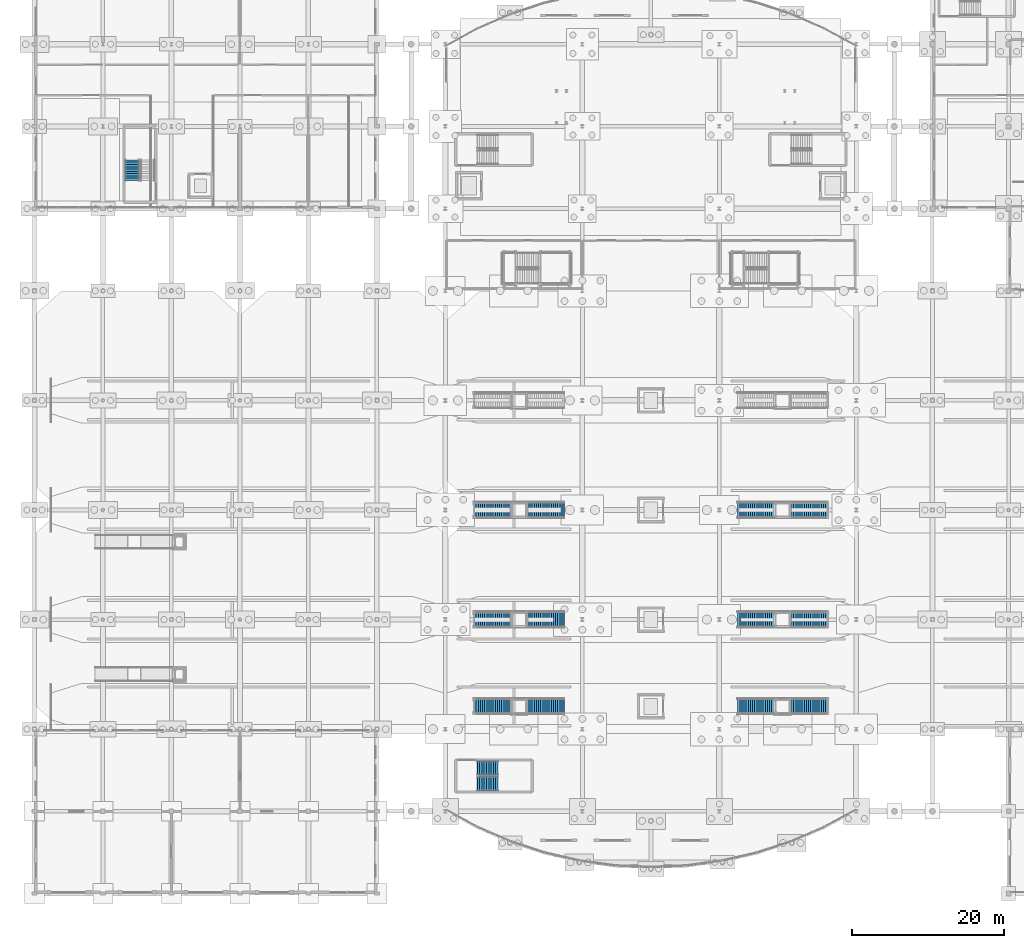
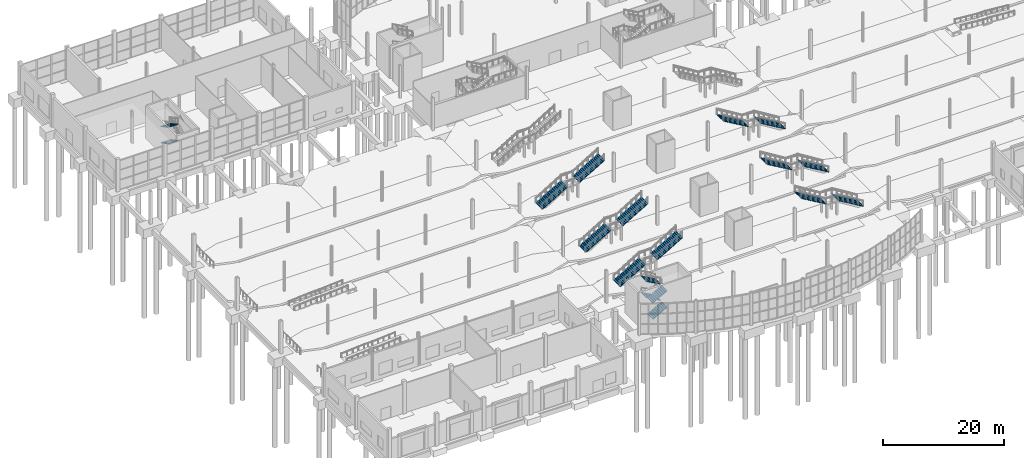
# One storey, part 96 of 115: 18 stair flights, 8 elements without a shape of their own.
"""IFC4 building model written with IfcOpenShell, lengths in metres."""

from ifc_helpers import new_model, si_unit, direction, frame, origin, place, context, subcontext, project, spatial, polyline, outline, extrude, material, type_object, element, aggregate, save


model = new_model("IFC4")

# Units and contexts
model_context = context("Model", 3, precision=1e-05, world=origin(), true_north=direction((0.0, 1.0)))
body_context = subcontext(model_context, "Body", "Model", "MODEL_VIEW")
ifc_project = project(units=[si_unit("LENGTHUNIT", "METRE"), si_unit("AREAUNIT", "SQUARE_METRE"), si_unit("VOLUMEUNIT", "CUBIC_METRE"), si_unit("PLANEANGLEUNIT", "RADIAN"), si_unit("MASSUNIT", "GRAM", prefix="KILO")], contexts=[model_context])

# Site, building, storey
site_placement = place(None, origin())
site = spatial("IfcSite", under=ifc_project, at=site_placement, CompositionType="ELEMENT")
building_placement = place(site_placement, origin())
building = spatial("IfcBuilding", under=site, at=building_placement, Name="Tamarisk Ironworks Central Station", CompositionType="ELEMENT")
storey_placement = place(building_placement, origin())
storey = spatial("IfcBuildingStorey", under=building, at=storey_placement, Name="L00", CompositionType="ELEMENT", Elevation=0.0)

# Stair, stair flights
ifc_material = material(Name="Concrete C35/45", Category="concrete")
stair_type_1 = type_object("IfcStairType", Name="ST-CORE-C", PredefinedType="HALF_TURN_STAIR", material=ifc_material)
stair_1_placement = place(storey_placement, origin())
stair_1 = element("IfcStair", 1, at=stair_1_placement, inside=storey, type_object=stair_type_1, Name="L00 Retail Pavilion Exit Stair Core 6", PredefinedType="HALF_TURN_STAIR")
stair_flight_type_1 = type_object("IfcStairFlightType", Name="SF-CORE-C", PredefinedType="STRAIGHT", material=ifc_material)
stair_flight_1_placement = place(storey_placement, frame((12.824951171875, 96.39990234375, 1.64990234375), z_axis=(0.0, 0.0, 1.0), x_axis=(0.0, -1.0, 0.0)))
stair_flight_1 = element("IfcStairFlight", 2, at=stair_flight_1_placement, type_object=stair_flight_type_1, Name="ST-C6 flight 2", NumberOfRisers=10, NumberOfTreads=9, PredefinedType="STRAIGHT", RiserHeight=0.165, TreadLength=0.3, context=body_context, shape_type="SweptSolid", body=[
    extrude(outline(polyline([(-0.01806640625, 0.0), (-0.01806640625, 0.107177734375), (0.0, 0.107177734375), (0.0, 0.1650390625), (0.300048828125, 0.1650390625), (0.300048828125, 0.330078125), (0.60009765625, 0.330078125), (0.60009765625, 0.4951171875), (0.89990234375, 0.4951171875), (0.89990234375, 0.659912109375), (1.199951171875, 0.659912109375), (1.199951171875, 0.824951171875), (1.5, 0.824951171875), (1.5, 0.989990234375), (1.800048828125, 0.989990234375), (1.800048828125, 1.155029296875), (2.10009765625, 1.155029296875), (2.10009765625, 1.320068359375), (2.39990234375, 1.320068359375), (2.39990234375, 1.485107421875), (2.699951171875, 1.485107421875), (2.699951171875, 1.64990234375), (2.718017578125, 1.64990234375), (2.718017578125, 1.4599609375), (0.080078125, 0.0), (-0.01806640625, 0.0)])), frame((0.0, 0.925048828125, 0.0), z_axis=(0.0, -1.0, 0.0), x_axis=(1.0, 0.0, 0.0)), (0.0, 0.0, 1.0), 1.85009765625),
])
stair_flight_2_placement = place(storey_placement, frame((12.824951171875, 96.39990234375, 4.949951171875), z_axis=(0.0, 0.0, 1.0), x_axis=(0.0, -1.0, 0.0)))
stair_flight_2 = element("IfcStairFlight", 3, at=stair_flight_2_placement, type_object=stair_flight_type_1, Name="ST-C6 flight 4", NumberOfRisers=10, NumberOfTreads=9, PredefinedType="STRAIGHT", RiserHeight=0.165, TreadLength=0.3, context=body_context, shape_type="SweptSolid", body=[
    extrude(outline(polyline([(-0.01806640625, 0.0), (-0.01806640625, 0.107177734375), (0.0, 0.107177734375), (0.0, 0.1650390625), (0.300048828125, 0.1650390625), (0.300048828125, 0.330078125), (0.60009765625, 0.330078125), (0.60009765625, 0.4951171875), (0.89990234375, 0.4951171875), (0.89990234375, 0.659912109375), (1.199951171875, 0.659912109375), (1.199951171875, 0.824951171875), (1.5, 0.824951171875), (1.5, 0.989990234375), (1.800048828125, 0.989990234375), (1.800048828125, 1.155029296875), (2.10009765625, 1.155029296875), (2.10009765625, 1.320068359375), (2.39990234375, 1.320068359375), (2.39990234375, 1.485107421875), (2.699951171875, 1.485107421875), (2.699951171875, 1.64990234375), (2.718017578125, 1.64990234375), (2.718017578125, 1.4599609375), (0.080078125, 0.0), (-0.01806640625, 0.0)])), frame((0.0, 0.925048828125, 0.0), z_axis=(0.0, -1.0, 0.0), x_axis=(1.0, 0.0, 0.0)), (0.0, 0.0, 1.0), 1.85009765625),
])
aggregate(stair_1, [stair_flight_1, stair_flight_2])

stair_type_2 = type_object("IfcStairType", Name="ST-CORE-D", PredefinedType="HALF_TURN_STAIR", material=ifc_material)
stair_2_placement = place(storey_placement, origin())
stair_2 = element("IfcStair", 4, at=stair_2_placement, inside=storey, type_object=stair_type_2, Name="L00 South Concourse Exit Stair Core 8", PredefinedType="HALF_TURN_STAIR")
stair_flight_type_2 = type_object("IfcStairFlightType", Name="SF-CORE-D", PredefinedType="STRAIGHT", material=ifc_material)
stair_flight_3_placement = place(storey_placement, frame((58.199951171875, 14.425048828125, 0.0), z_axis=(0.0, 0.0, 1.0), x_axis=(1.0, 0.0, 0.0)))
stair_flight_3 = element("IfcStairFlight", 5, at=stair_flight_3_placement, type_object=stair_flight_type_2, Name="ST-C8 flight 1", NumberOfRisers=10, NumberOfTreads=9, PredefinedType="STRAIGHT", RiserHeight=0.165, TreadLength=0.3, context=body_context, shape_type="SweptSolid", body=[
    extrude(outline(polyline([(-0.01806640625, 0.0), (-0.01806640625, 0.107177734375), (0.0, 0.107177734375), (0.0, 0.1650390625), (0.300048828125, 0.1650390625), (0.300048828125, 0.330078125), (0.60009765625, 0.330078125), (0.60009765625, 0.4951171875), (0.89990234375, 0.4951171875), (0.89990234375, 0.659912109375), (1.199951171875, 0.659912109375), (1.199951171875, 0.824951171875), (1.5, 0.824951171875), (1.5, 0.989990234375), (1.800048828125, 0.989990234375), (1.800048828125, 1.155029296875), (2.10009765625, 1.155029296875), (2.10009765625, 1.320068359375), (2.39990234375, 1.320068359375), (2.39990234375, 1.485107421875), (2.699951171875, 1.485107421875), (2.699951171875, 1.64990234375), (2.718017578125, 1.64990234375), (2.718017578125, 1.4599609375), (0.080078125, 0.0), (-0.01806640625, 0.0)])), frame((0.0, 0.925048828125, 0.0), z_axis=(0.0, -1.0, 0.0), x_axis=(1.0, 0.0, 0.0)), (0.0, 0.0, 1.0), 1.85009765625),
])
stair_flight_4_placement = place(storey_placement, frame((60.89990234375, 16.47509765625, 1.64990234375), z_axis=(0.0, 0.0, 1.0), x_axis=(-1.0, 0.0, 0.0)))
stair_flight_4 = element("IfcStairFlight", 6, at=stair_flight_4_placement, type_object=stair_flight_type_2, Name="ST-C8 flight 2", NumberOfRisers=10, NumberOfTreads=9, PredefinedType="STRAIGHT", RiserHeight=0.165, TreadLength=0.3, context=body_context, shape_type="SweptSolid", body=[
    extrude(outline(polyline([(-0.01806640625, 0.0), (-0.01806640625, 0.107177734375), (0.0, 0.107177734375), (0.0, 0.1650390625), (0.300048828125, 0.1650390625), (0.300048828125, 0.330078125), (0.60009765625, 0.330078125), (0.60009765625, 0.4951171875), (0.89990234375, 0.4951171875), (0.89990234375, 0.659912109375), (1.199951171875, 0.659912109375), (1.199951171875, 0.824951171875), (1.5, 0.824951171875), (1.5, 0.989990234375), (1.800048828125, 0.989990234375), (1.800048828125, 1.155029296875), (2.10009765625, 1.155029296875), (2.10009765625, 1.320068359375), (2.39990234375, 1.320068359375), (2.39990234375, 1.485107421875), (2.699951171875, 1.485107421875), (2.699951171875, 1.64990234375), (2.718017578125, 1.64990234375), (2.718017578125, 1.4599609375), (0.080078125, 0.0), (-0.01806640625, 0.0)])), frame((0.0, 0.925048828125, 0.0), z_axis=(0.0, -1.0, 0.0), x_axis=(1.0, 0.0, 0.0)), (0.0, 0.0, 1.0), 1.85009765625),
])
stair_flight_5_placement = place(storey_placement, frame((58.199951171875, 14.425048828125, 3.300048828125), z_axis=(0.0, 0.0, 1.0), x_axis=(1.0, 0.0, 0.0)))
stair_flight_5 = element("IfcStairFlight", 7, at=stair_flight_5_placement, type_object=stair_flight_type_2, Name="ST-C8 flight 3", NumberOfRisers=10, NumberOfTreads=9, PredefinedType="STRAIGHT", RiserHeight=0.165, TreadLength=0.3, context=body_context, shape_type="SweptSolid", body=[
    extrude(outline(polyline([(-0.01806640625, 0.0), (-0.01806640625, 0.107177734375), (0.0, 0.107177734375), (0.0, 0.1650390625), (0.300048828125, 0.1650390625), (0.300048828125, 0.330078125), (0.60009765625, 0.330078125), (0.60009765625, 0.4951171875), (0.89990234375, 0.4951171875), (0.89990234375, 0.659912109375), (1.199951171875, 0.659912109375), (1.199951171875, 0.824951171875), (1.5, 0.824951171875), (1.5, 0.989990234375), (1.800048828125, 0.989990234375), (1.800048828125, 1.155029296875), (2.10009765625, 1.155029296875), (2.10009765625, 1.320068359375), (2.39990234375, 1.320068359375), (2.39990234375, 1.485107421875), (2.699951171875, 1.485107421875), (2.699951171875, 1.64990234375), (2.718017578125, 1.64990234375), (2.718017578125, 1.4599609375), (0.080078125, 0.0), (-0.01806640625, 0.0)])), frame((0.0, 0.925048828125, 0.0), z_axis=(0.0, -1.0, 0.0), x_axis=(1.0, 0.0, 0.0)), (0.0, 0.0, 1.0), 1.85009765625),
])
stair_flight_6_placement = place(storey_placement, frame((60.89990234375, 16.47509765625, 4.949951171875), z_axis=(0.0, 0.0, 1.0), x_axis=(-1.0, 0.0, 0.0)))
stair_flight_6 = element("IfcStairFlight", 8, at=stair_flight_6_placement, type_object=stair_flight_type_2, Name="ST-C8 flight 4", NumberOfRisers=10, NumberOfTreads=9, PredefinedType="STRAIGHT", RiserHeight=0.165, TreadLength=0.3, context=body_context, shape_type="SweptSolid", body=[
    extrude(outline(polyline([(-0.01806640625, 0.0), (-0.01806640625, 0.107177734375), (0.0, 0.107177734375), (0.0, 0.1650390625), (0.300048828125, 0.1650390625), (0.300048828125, 0.330078125), (0.60009765625, 0.330078125), (0.60009765625, 0.4951171875), (0.89990234375, 0.4951171875), (0.89990234375, 0.659912109375), (1.199951171875, 0.659912109375), (1.199951171875, 0.824951171875), (1.5, 0.824951171875), (1.5, 0.989990234375), (1.800048828125, 0.989990234375), (1.800048828125, 1.155029296875), (2.10009765625, 1.155029296875), (2.10009765625, 1.320068359375), (2.39990234375, 1.320068359375), (2.39990234375, 1.485107421875), (2.699951171875, 1.485107421875), (2.699951171875, 1.64990234375), (2.718017578125, 1.64990234375), (2.718017578125, 1.4599609375), (0.080078125, 0.0), (-0.01806640625, 0.0)])), frame((0.0, 0.925048828125, 0.0), z_axis=(0.0, -1.0, 0.0), x_axis=(1.0, 0.0, 0.0)), (0.0, 0.0, 1.0), 1.85009765625),
])
aggregate(stair_2, [stair_flight_3, stair_flight_4, stair_flight_5, stair_flight_6])

stair_type_3 = type_object("IfcStairType", Name="ST-PLAT", PredefinedType="TWO_STRAIGHT_RUN_STAIR", material=ifc_material)
stair_3_placement = place(storey_placement, origin())
stair_3 = element("IfcStair", 9, at=stair_3_placement, inside=storey, type_object=stair_type_3, Name="Platform 1 Boarding Stair ST-P1A", PredefinedType="TWO_STRAIGHT_RUN_STAIR")
stair_flight_type_3 = type_object("IfcStairFlightType", Name="SF-PLAT", PredefinedType="STRAIGHT", material=ifc_material)
stair_flight_7_placement = place(storey_placement, frame((57.760009765625, 24.60009765625, 0.719970703125), z_axis=(0.0, 0.0, 1.0), x_axis=(1.0, 0.0, 0.0)))
stair_flight_7 = element("IfcStairFlight", 10, at=stair_flight_7_placement, type_object=stair_flight_type_3, Name="STP1 flight 1", NumberOfRisers=18, NumberOfTreads=17, PredefinedType="STRAIGHT", RiserHeight=0.163333, TreadLength=0.28, context=body_context, shape_type="SweptSolid", body=[
    extrude(outline(polyline([(-0.01806640625, 0.0), (-0.01806640625, 0.106201171875), (0.0, 0.106201171875), (0.0, 0.163330078125), (0.280029296875, 0.163330078125), (0.280029296875, 0.32666015625), (0.56005859375, 0.32666015625), (0.56005859375, 0.489990234375), (0.840087890625, 0.489990234375), (0.840087890625, 0.6533203125), (1.1201171875, 0.6533203125), (1.1201171875, 0.816650390625), (1.39990234375, 0.816650390625), (1.39990234375, 0.97998046875), (1.679931640625, 0.97998046875), (1.679931640625, 1.143310546875), (1.9599609375, 1.143310546875), (1.9599609375, 1.306640625), (2.239990234375, 1.306640625), (2.239990234375, 1.469970703125), (2.52001953125, 1.469970703125), (2.52001953125, 1.63330078125), (2.800048828125, 1.63330078125), (2.800048828125, 1.796630859375), (3.080078125, 1.796630859375), (3.080078125, 1.9599609375), (3.360107421875, 1.9599609375), (3.360107421875, 2.123291015625), (3.639892578125, 2.123291015625), (3.639892578125, 2.28662109375), (3.919921875, 2.28662109375), (3.919921875, 2.449951171875), (4.199951171875, 2.449951171875), (4.199951171875, 2.61328125), (4.47998046875, 2.61328125), (4.47998046875, 2.776611328125), (4.760009765625, 2.776611328125), (4.760009765625, 2.93994140625), (4.778076171875, 2.93994140625), (4.778076171875, 2.75), (0.080078125, 0.0), (-0.01806640625, 0.0)])), frame((0.0, 1.10009765625, 0.0), z_axis=(0.0, -1.0, 0.0), x_axis=(1.0, 0.0, 0.0)), (0.0, 0.0, 1.0), 2.199951171875),
])
stair_flight_8_placement = place(storey_placement, frame((64.840087890625, 24.60009765625, 3.659912109375), z_axis=(0.0, 0.0, 1.0), x_axis=(1.0, 0.0, 0.0)))
stair_flight_8 = element("IfcStairFlight", 11, at=stair_flight_8_placement, type_object=stair_flight_type_3, Name="STP1 flight 2", NumberOfRisers=18, NumberOfTreads=17, PredefinedType="STRAIGHT", RiserHeight=0.163333, TreadLength=0.28, context=body_context, shape_type="SweptSolid", body=[
    extrude(outline(polyline([(-0.01806640625, 0.0), (-0.01806640625, 0.106201171875), (0.0, 0.106201171875), (0.0, 0.163330078125), (0.280029296875, 0.163330078125), (0.280029296875, 0.32666015625), (0.56005859375, 0.32666015625), (0.56005859375, 0.489990234375), (0.840087890625, 0.489990234375), (0.840087890625, 0.6533203125), (1.1201171875, 0.6533203125), (1.1201171875, 0.816650390625), (1.39990234375, 0.816650390625), (1.39990234375, 0.97998046875), (1.679931640625, 0.97998046875), (1.679931640625, 1.143310546875), (1.9599609375, 1.143310546875), (1.9599609375, 1.306640625), (2.239990234375, 1.306640625), (2.239990234375, 1.469970703125), (2.52001953125, 1.469970703125), (2.52001953125, 1.63330078125), (2.800048828125, 1.63330078125), (2.800048828125, 1.796630859375), (3.080078125, 1.796630859375), (3.080078125, 1.9599609375), (3.360107421875, 1.9599609375), (3.360107421875, 2.123291015625), (3.639892578125, 2.123291015625), (3.639892578125, 2.28662109375), (3.919921875, 2.28662109375), (3.919921875, 2.449951171875), (4.199951171875, 2.449951171875), (4.199951171875, 2.61328125), (4.47998046875, 2.61328125), (4.47998046875, 2.776611328125), (4.760009765625, 2.776611328125), (4.760009765625, 2.93994140625), (4.778076171875, 2.93994140625), (4.778076171875, 2.75), (0.080078125, 0.0), (-0.01806640625, 0.0)])), frame((0.0, 1.10009765625, 0.0), z_axis=(0.0, -1.0, 0.0), x_axis=(1.0, 0.0, 0.0)), (0.0, 0.0, 1.0), 2.199951171875),
])
aggregate(stair_3, [stair_flight_7, stair_flight_8])

stair_4_placement = place(storey_placement, origin())
stair_4 = element("IfcStair", 12, at=stair_4_placement, inside=storey, type_object=stair_type_3, Name="Platform 1 Boarding Stair ST-P1B", PredefinedType="TWO_STRAIGHT_RUN_STAIR")
stair_flight_9_placement = place(storey_placement, frame((104.239990234375, 24.60009765625, 0.719970703125), z_axis=(0.0, 0.0, 1.0), x_axis=(-1.0, 0.0, 0.0)))
stair_flight_9 = element("IfcStairFlight", 13, at=stair_flight_9_placement, type_object=stair_flight_type_3, Name="STP1 flight 1", NumberOfRisers=18, NumberOfTreads=17, PredefinedType="STRAIGHT", RiserHeight=0.163333, TreadLength=0.28, context=body_context, shape_type="SweptSolid", body=[
    extrude(outline(polyline([(-0.01806640625, 0.0), (-0.01806640625, 0.106201171875), (0.0, 0.106201171875), (0.0, 0.163330078125), (0.280029296875, 0.163330078125), (0.280029296875, 0.32666015625), (0.56005859375, 0.32666015625), (0.56005859375, 0.489990234375), (0.840087890625, 0.489990234375), (0.840087890625, 0.6533203125), (1.1201171875, 0.6533203125), (1.1201171875, 0.816650390625), (1.39990234375, 0.816650390625), (1.39990234375, 0.97998046875), (1.679931640625, 0.97998046875), (1.679931640625, 1.143310546875), (1.9599609375, 1.143310546875), (1.9599609375, 1.306640625), (2.239990234375, 1.306640625), (2.239990234375, 1.469970703125), (2.52001953125, 1.469970703125), (2.52001953125, 1.63330078125), (2.800048828125, 1.63330078125), (2.800048828125, 1.796630859375), (3.080078125, 1.796630859375), (3.080078125, 1.9599609375), (3.360107421875, 1.9599609375), (3.360107421875, 2.123291015625), (3.639892578125, 2.123291015625), (3.639892578125, 2.28662109375), (3.919921875, 2.28662109375), (3.919921875, 2.449951171875), (4.199951171875, 2.449951171875), (4.199951171875, 2.61328125), (4.47998046875, 2.61328125), (4.47998046875, 2.776611328125), (4.760009765625, 2.776611328125), (4.760009765625, 2.93994140625), (4.778076171875, 2.93994140625), (4.778076171875, 2.75), (0.080078125, 0.0), (-0.01806640625, 0.0)])), frame((0.0, 1.10009765625, 0.0), z_axis=(0.0, -1.0, 0.0), x_axis=(1.0, 0.0, 0.0)), (0.0, 0.0, 1.0), 2.199951171875),
])
stair_flight_10_placement = place(storey_placement, frame((97.159912109375, 24.60009765625, 3.659912109375), z_axis=(0.0, 0.0, 1.0), x_axis=(-1.0, 0.0, 0.0)))
stair_flight_10 = element("IfcStairFlight", 14, at=stair_flight_10_placement, type_object=stair_flight_type_3, Name="STP1 flight 2", NumberOfRisers=18, NumberOfTreads=17, PredefinedType="STRAIGHT", RiserHeight=0.163333, TreadLength=0.28, context=body_context, shape_type="SweptSolid", body=[
    extrude(outline(polyline([(-0.01806640625, 0.0), (-0.01806640625, 0.106201171875), (0.0, 0.106201171875), (0.0, 0.163330078125), (0.280029296875, 0.163330078125), (0.280029296875, 0.32666015625), (0.56005859375, 0.32666015625), (0.56005859375, 0.489990234375), (0.840087890625, 0.489990234375), (0.840087890625, 0.6533203125), (1.1201171875, 0.6533203125), (1.1201171875, 0.816650390625), (1.39990234375, 0.816650390625), (1.39990234375, 0.97998046875), (1.679931640625, 0.97998046875), (1.679931640625, 1.143310546875), (1.9599609375, 1.143310546875), (1.9599609375, 1.306640625), (2.239990234375, 1.306640625), (2.239990234375, 1.469970703125), (2.52001953125, 1.469970703125), (2.52001953125, 1.63330078125), (2.800048828125, 1.63330078125), (2.800048828125, 1.796630859375), (3.080078125, 1.796630859375), (3.080078125, 1.9599609375), (3.360107421875, 1.9599609375), (3.360107421875, 2.123291015625), (3.639892578125, 2.123291015625), (3.639892578125, 2.28662109375), (3.919921875, 2.28662109375), (3.919921875, 2.449951171875), (4.199951171875, 2.449951171875), (4.199951171875, 2.61328125), (4.47998046875, 2.61328125), (4.47998046875, 2.776611328125), (4.760009765625, 2.776611328125), (4.760009765625, 2.93994140625), (4.778076171875, 2.93994140625), (4.778076171875, 2.75), (0.080078125, 0.0), (-0.01806640625, 0.0)])), frame((0.0, 1.10009765625, 0.0), z_axis=(0.0, -1.0, 0.0), x_axis=(1.0, 0.0, 0.0)), (0.0, 0.0, 1.0), 2.199951171875),
])
aggregate(stair_4, [stair_flight_9, stair_flight_10])

stair_5_placement = place(storey_placement, origin())
stair_5 = element("IfcStair", 15, at=stair_5_placement, inside=storey, type_object=stair_type_3, Name="Platform 2 Boarding Stair ST-P2A", PredefinedType="TWO_STRAIGHT_RUN_STAIR")
stair_flight_11_placement = place(storey_placement, frame((57.760009765625, 36.0, 0.719970703125), z_axis=(0.0, 0.0, 1.0), x_axis=(1.0, 0.0, 0.0)))
stair_flight_11 = element("IfcStairFlight", 16, at=stair_flight_11_placement, type_object=stair_flight_type_3, Name="STP1 flight 1", NumberOfRisers=18, NumberOfTreads=17, PredefinedType="STRAIGHT", RiserHeight=0.163333, TreadLength=0.28, context=body_context, shape_type="SweptSolid", body=[
    extrude(outline(polyline([(-0.01806640625, 0.0), (-0.01806640625, 0.106201171875), (0.0, 0.106201171875), (0.0, 0.163330078125), (0.280029296875, 0.163330078125), (0.280029296875, 0.32666015625), (0.56005859375, 0.32666015625), (0.56005859375, 0.489990234375), (0.840087890625, 0.489990234375), (0.840087890625, 0.6533203125), (1.1201171875, 0.6533203125), (1.1201171875, 0.816650390625), (1.39990234375, 0.816650390625), (1.39990234375, 0.97998046875), (1.679931640625, 0.97998046875), (1.679931640625, 1.143310546875), (1.9599609375, 1.143310546875), (1.9599609375, 1.306640625), (2.239990234375, 1.306640625), (2.239990234375, 1.469970703125), (2.52001953125, 1.469970703125), (2.52001953125, 1.63330078125), (2.800048828125, 1.63330078125), (2.800048828125, 1.796630859375), (3.080078125, 1.796630859375), (3.080078125, 1.9599609375), (3.360107421875, 1.9599609375), (3.360107421875, 2.123291015625), (3.639892578125, 2.123291015625), (3.639892578125, 2.28662109375), (3.919921875, 2.28662109375), (3.919921875, 2.449951171875), (4.199951171875, 2.449951171875), (4.199951171875, 2.61328125), (4.47998046875, 2.61328125), (4.47998046875, 2.776611328125), (4.760009765625, 2.776611328125), (4.760009765625, 2.93994140625), (4.778076171875, 2.93994140625), (4.778076171875, 2.75), (0.080078125, 0.0), (-0.01806640625, 0.0)])), frame((0.0, 1.10009765625, 0.0), z_axis=(0.0, -1.0, 0.0), x_axis=(1.0, 0.0, 0.0)), (0.0, 0.0, 1.0), 2.199951171875),
])
stair_flight_12_placement = place(storey_placement, frame((64.840087890625, 36.0, 3.659912109375), z_axis=(0.0, 0.0, 1.0), x_axis=(1.0, 0.0, 0.0)))
stair_flight_12 = element("IfcStairFlight", 17, at=stair_flight_12_placement, type_object=stair_flight_type_3, Name="STP1 flight 2", NumberOfRisers=18, NumberOfTreads=17, PredefinedType="STRAIGHT", RiserHeight=0.163333, TreadLength=0.28, context=body_context, shape_type="SweptSolid", body=[
    extrude(outline(polyline([(-0.01806640625, 0.0), (-0.01806640625, 0.106201171875), (0.0, 0.106201171875), (0.0, 0.163330078125), (0.280029296875, 0.163330078125), (0.280029296875, 0.32666015625), (0.56005859375, 0.32666015625), (0.56005859375, 0.489990234375), (0.840087890625, 0.489990234375), (0.840087890625, 0.6533203125), (1.1201171875, 0.6533203125), (1.1201171875, 0.816650390625), (1.39990234375, 0.816650390625), (1.39990234375, 0.97998046875), (1.679931640625, 0.97998046875), (1.679931640625, 1.143310546875), (1.9599609375, 1.143310546875), (1.9599609375, 1.306640625), (2.239990234375, 1.306640625), (2.239990234375, 1.469970703125), (2.52001953125, 1.469970703125), (2.52001953125, 1.63330078125), (2.800048828125, 1.63330078125), (2.800048828125, 1.796630859375), (3.080078125, 1.796630859375), (3.080078125, 1.9599609375), (3.360107421875, 1.9599609375), (3.360107421875, 2.123291015625), (3.639892578125, 2.123291015625), (3.639892578125, 2.28662109375), (3.919921875, 2.28662109375), (3.919921875, 2.449951171875), (4.199951171875, 2.449951171875), (4.199951171875, 2.61328125), (4.47998046875, 2.61328125), (4.47998046875, 2.776611328125), (4.760009765625, 2.776611328125), (4.760009765625, 2.93994140625), (4.778076171875, 2.93994140625), (4.778076171875, 2.75), (0.080078125, 0.0), (-0.01806640625, 0.0)])), frame((0.0, 1.10009765625, 0.0), z_axis=(0.0, -1.0, 0.0), x_axis=(1.0, 0.0, 0.0)), (0.0, 0.0, 1.0), 2.199951171875),
])
aggregate(stair_5, [stair_flight_11, stair_flight_12])

stair_6_placement = place(storey_placement, origin())
stair_6 = element("IfcStair", 18, at=stair_6_placement, inside=storey, type_object=stair_type_3, Name="Platform 2 Boarding Stair ST-P2B", PredefinedType="TWO_STRAIGHT_RUN_STAIR")
stair_flight_13_placement = place(storey_placement, frame((104.239990234375, 36.0, 0.719970703125), z_axis=(0.0, 0.0, 1.0), x_axis=(-1.0, 0.0, 0.0)))
stair_flight_13 = element("IfcStairFlight", 19, at=stair_flight_13_placement, type_object=stair_flight_type_3, Name="STP1 flight 1", NumberOfRisers=18, NumberOfTreads=17, PredefinedType="STRAIGHT", RiserHeight=0.163333, TreadLength=0.28, context=body_context, shape_type="SweptSolid", body=[
    extrude(outline(polyline([(-0.01806640625, 0.0), (-0.01806640625, 0.106201171875), (0.0, 0.106201171875), (0.0, 0.163330078125), (0.280029296875, 0.163330078125), (0.280029296875, 0.32666015625), (0.56005859375, 0.32666015625), (0.56005859375, 0.489990234375), (0.840087890625, 0.489990234375), (0.840087890625, 0.6533203125), (1.1201171875, 0.6533203125), (1.1201171875, 0.816650390625), (1.39990234375, 0.816650390625), (1.39990234375, 0.97998046875), (1.679931640625, 0.97998046875), (1.679931640625, 1.143310546875), (1.9599609375, 1.143310546875), (1.9599609375, 1.306640625), (2.239990234375, 1.306640625), (2.239990234375, 1.469970703125), (2.52001953125, 1.469970703125), (2.52001953125, 1.63330078125), (2.800048828125, 1.63330078125), (2.800048828125, 1.796630859375), (3.080078125, 1.796630859375), (3.080078125, 1.9599609375), (3.360107421875, 1.9599609375), (3.360107421875, 2.123291015625), (3.639892578125, 2.123291015625), (3.639892578125, 2.28662109375), (3.919921875, 2.28662109375), (3.919921875, 2.449951171875), (4.199951171875, 2.449951171875), (4.199951171875, 2.61328125), (4.47998046875, 2.61328125), (4.47998046875, 2.776611328125), (4.760009765625, 2.776611328125), (4.760009765625, 2.93994140625), (4.778076171875, 2.93994140625), (4.778076171875, 2.75), (0.080078125, 0.0), (-0.01806640625, 0.0)])), frame((0.0, 1.10009765625, 0.0), z_axis=(0.0, -1.0, 0.0), x_axis=(1.0, 0.0, 0.0)), (0.0, 0.0, 1.0), 2.199951171875),
])
stair_flight_14_placement = place(storey_placement, frame((97.159912109375, 36.0, 3.659912109375), z_axis=(0.0, 0.0, 1.0), x_axis=(-1.0, 0.0, 0.0)))
stair_flight_14 = element("IfcStairFlight", 20, at=stair_flight_14_placement, type_object=stair_flight_type_3, Name="STP1 flight 2", NumberOfRisers=18, NumberOfTreads=17, PredefinedType="STRAIGHT", RiserHeight=0.163333, TreadLength=0.28, context=body_context, shape_type="SweptSolid", body=[
    extrude(outline(polyline([(-0.01806640625, 0.0), (-0.01806640625, 0.106201171875), (0.0, 0.106201171875), (0.0, 0.163330078125), (0.280029296875, 0.163330078125), (0.280029296875, 0.32666015625), (0.56005859375, 0.32666015625), (0.56005859375, 0.489990234375), (0.840087890625, 0.489990234375), (0.840087890625, 0.6533203125), (1.1201171875, 0.6533203125), (1.1201171875, 0.816650390625), (1.39990234375, 0.816650390625), (1.39990234375, 0.97998046875), (1.679931640625, 0.97998046875), (1.679931640625, 1.143310546875), (1.9599609375, 1.143310546875), (1.9599609375, 1.306640625), (2.239990234375, 1.306640625), (2.239990234375, 1.469970703125), (2.52001953125, 1.469970703125), (2.52001953125, 1.63330078125), (2.800048828125, 1.63330078125), (2.800048828125, 1.796630859375), (3.080078125, 1.796630859375), (3.080078125, 1.9599609375), (3.360107421875, 1.9599609375), (3.360107421875, 2.123291015625), (3.639892578125, 2.123291015625), (3.639892578125, 2.28662109375), (3.919921875, 2.28662109375), (3.919921875, 2.449951171875), (4.199951171875, 2.449951171875), (4.199951171875, 2.61328125), (4.47998046875, 2.61328125), (4.47998046875, 2.776611328125), (4.760009765625, 2.776611328125), (4.760009765625, 2.93994140625), (4.778076171875, 2.93994140625), (4.778076171875, 2.75), (0.080078125, 0.0), (-0.01806640625, 0.0)])), frame((0.0, 1.10009765625, 0.0), z_axis=(0.0, -1.0, 0.0), x_axis=(1.0, 0.0, 0.0)), (0.0, 0.0, 1.0), 2.199951171875),
])
aggregate(stair_6, [stair_flight_13, stair_flight_14])

stair_7_placement = place(storey_placement, origin())
stair_7 = element("IfcStair", 21, at=stair_7_placement, inside=storey, type_object=stair_type_3, Name="Platform 3 Boarding Stair ST-P3A", PredefinedType="TWO_STRAIGHT_RUN_STAIR")
stair_flight_15_placement = place(storey_placement, frame((57.760009765625, 50.39990234375, 0.719970703125), z_axis=(0.0, 0.0, 1.0), x_axis=(1.0, 0.0, 0.0)))
stair_flight_15 = element("IfcStairFlight", 22, at=stair_flight_15_placement, type_object=stair_flight_type_3, Name="STP1 flight 1", NumberOfRisers=18, NumberOfTreads=17, PredefinedType="STRAIGHT", RiserHeight=0.163333, TreadLength=0.28, context=body_context, shape_type="SweptSolid", body=[
    extrude(outline(polyline([(-0.01806640625, 0.0), (-0.01806640625, 0.106201171875), (0.0, 0.106201171875), (0.0, 0.163330078125), (0.280029296875, 0.163330078125), (0.280029296875, 0.32666015625), (0.56005859375, 0.32666015625), (0.56005859375, 0.489990234375), (0.840087890625, 0.489990234375), (0.840087890625, 0.6533203125), (1.1201171875, 0.6533203125), (1.1201171875, 0.816650390625), (1.39990234375, 0.816650390625), (1.39990234375, 0.97998046875), (1.679931640625, 0.97998046875), (1.679931640625, 1.143310546875), (1.9599609375, 1.143310546875), (1.9599609375, 1.306640625), (2.239990234375, 1.306640625), (2.239990234375, 1.469970703125), (2.52001953125, 1.469970703125), (2.52001953125, 1.63330078125), (2.800048828125, 1.63330078125), (2.800048828125, 1.796630859375), (3.080078125, 1.796630859375), (3.080078125, 1.9599609375), (3.360107421875, 1.9599609375), (3.360107421875, 2.123291015625), (3.639892578125, 2.123291015625), (3.639892578125, 2.28662109375), (3.919921875, 2.28662109375), (3.919921875, 2.449951171875), (4.199951171875, 2.449951171875), (4.199951171875, 2.61328125), (4.47998046875, 2.61328125), (4.47998046875, 2.776611328125), (4.760009765625, 2.776611328125), (4.760009765625, 2.93994140625), (4.778076171875, 2.93994140625), (4.778076171875, 2.75), (0.080078125, 0.0), (-0.01806640625, 0.0)])), frame((0.0, 1.10009765625, 0.0), z_axis=(0.0, -1.0, 0.0), x_axis=(1.0, 0.0, 0.0)), (0.0, 0.0, 1.0), 2.199951171875),
])
stair_flight_16_placement = place(storey_placement, frame((64.840087890625, 50.39990234375, 3.659912109375), z_axis=(0.0, 0.0, 1.0), x_axis=(1.0, 0.0, 0.0)))
stair_flight_16 = element("IfcStairFlight", 23, at=stair_flight_16_placement, type_object=stair_flight_type_3, Name="STP1 flight 2", NumberOfRisers=18, NumberOfTreads=17, PredefinedType="STRAIGHT", RiserHeight=0.163333, TreadLength=0.28, context=body_context, shape_type="SweptSolid", body=[
    extrude(outline(polyline([(-0.01806640625, 0.0), (-0.01806640625, 0.106201171875), (0.0, 0.106201171875), (0.0, 0.163330078125), (0.280029296875, 0.163330078125), (0.280029296875, 0.32666015625), (0.56005859375, 0.32666015625), (0.56005859375, 0.489990234375), (0.840087890625, 0.489990234375), (0.840087890625, 0.6533203125), (1.1201171875, 0.6533203125), (1.1201171875, 0.816650390625), (1.39990234375, 0.816650390625), (1.39990234375, 0.97998046875), (1.679931640625, 0.97998046875), (1.679931640625, 1.143310546875), (1.9599609375, 1.143310546875), (1.9599609375, 1.306640625), (2.239990234375, 1.306640625), (2.239990234375, 1.469970703125), (2.52001953125, 1.469970703125), (2.52001953125, 1.63330078125), (2.800048828125, 1.63330078125), (2.800048828125, 1.796630859375), (3.080078125, 1.796630859375), (3.080078125, 1.9599609375), (3.360107421875, 1.9599609375), (3.360107421875, 2.123291015625), (3.639892578125, 2.123291015625), (3.639892578125, 2.28662109375), (3.919921875, 2.28662109375), (3.919921875, 2.449951171875), (4.199951171875, 2.449951171875), (4.199951171875, 2.61328125), (4.47998046875, 2.61328125), (4.47998046875, 2.776611328125), (4.760009765625, 2.776611328125), (4.760009765625, 2.93994140625), (4.778076171875, 2.93994140625), (4.778076171875, 2.75), (0.080078125, 0.0), (-0.01806640625, 0.0)])), frame((0.0, 1.10009765625, 0.0), z_axis=(0.0, -1.0, 0.0), x_axis=(1.0, 0.0, 0.0)), (0.0, 0.0, 1.0), 2.199951171875),
])
aggregate(stair_7, [stair_flight_15, stair_flight_16])

stair_8_placement = place(storey_placement, origin())
stair_8 = element("IfcStair", 24, at=stair_8_placement, inside=storey, type_object=stair_type_3, Name="Platform 3 Boarding Stair ST-P3B", PredefinedType="TWO_STRAIGHT_RUN_STAIR")
stair_flight_17_placement = place(storey_placement, frame((104.239990234375, 50.39990234375, 0.719970703125), z_axis=(0.0, 0.0, 1.0), x_axis=(-1.0, 0.0, 0.0)))
stair_flight_17 = element("IfcStairFlight", 25, at=stair_flight_17_placement, type_object=stair_flight_type_3, Name="STP1 flight 1", NumberOfRisers=18, NumberOfTreads=17, PredefinedType="STRAIGHT", RiserHeight=0.163333, TreadLength=0.28, context=body_context, shape_type="SweptSolid", body=[
    extrude(outline(polyline([(-0.01806640625, 0.0), (-0.01806640625, 0.106201171875), (0.0, 0.106201171875), (0.0, 0.163330078125), (0.280029296875, 0.163330078125), (0.280029296875, 0.32666015625), (0.56005859375, 0.32666015625), (0.56005859375, 0.489990234375), (0.840087890625, 0.489990234375), (0.840087890625, 0.6533203125), (1.1201171875, 0.6533203125), (1.1201171875, 0.816650390625), (1.39990234375, 0.816650390625), (1.39990234375, 0.97998046875), (1.679931640625, 0.97998046875), (1.679931640625, 1.143310546875), (1.9599609375, 1.143310546875), (1.9599609375, 1.306640625), (2.239990234375, 1.306640625), (2.239990234375, 1.469970703125), (2.52001953125, 1.469970703125), (2.52001953125, 1.63330078125), (2.800048828125, 1.63330078125), (2.800048828125, 1.796630859375), (3.080078125, 1.796630859375), (3.080078125, 1.9599609375), (3.360107421875, 1.9599609375), (3.360107421875, 2.123291015625), (3.639892578125, 2.123291015625), (3.639892578125, 2.28662109375), (3.919921875, 2.28662109375), (3.919921875, 2.449951171875), (4.199951171875, 2.449951171875), (4.199951171875, 2.61328125), (4.47998046875, 2.61328125), (4.47998046875, 2.776611328125), (4.760009765625, 2.776611328125), (4.760009765625, 2.93994140625), (4.778076171875, 2.93994140625), (4.778076171875, 2.75), (0.080078125, 0.0), (-0.01806640625, 0.0)])), frame((0.0, 1.10009765625, 0.0), z_axis=(0.0, -1.0, 0.0), x_axis=(1.0, 0.0, 0.0)), (0.0, 0.0, 1.0), 2.199951171875),
])
stair_flight_18_placement = place(storey_placement, frame((97.159912109375, 50.39990234375, 3.659912109375), z_axis=(0.0, 0.0, 1.0), x_axis=(-1.0, 0.0, 0.0)))
stair_flight_18 = element("IfcStairFlight", 26, at=stair_flight_18_placement, type_object=stair_flight_type_3, Name="STP1 flight 2", NumberOfRisers=18, NumberOfTreads=17, PredefinedType="STRAIGHT", RiserHeight=0.163333, TreadLength=0.28, context=body_context, shape_type="SweptSolid", body=[
    extrude(outline(polyline([(-0.01806640625, 0.0), (-0.01806640625, 0.106201171875), (0.0, 0.106201171875), (0.0, 0.163330078125), (0.280029296875, 0.163330078125), (0.280029296875, 0.32666015625), (0.56005859375, 0.32666015625), (0.56005859375, 0.489990234375), (0.840087890625, 0.489990234375), (0.840087890625, 0.6533203125), (1.1201171875, 0.6533203125), (1.1201171875, 0.816650390625), (1.39990234375, 0.816650390625), (1.39990234375, 0.97998046875), (1.679931640625, 0.97998046875), (1.679931640625, 1.143310546875), (1.9599609375, 1.143310546875), (1.9599609375, 1.306640625), (2.239990234375, 1.306640625), (2.239990234375, 1.469970703125), (2.52001953125, 1.469970703125), (2.52001953125, 1.63330078125), (2.800048828125, 1.63330078125), (2.800048828125, 1.796630859375), (3.080078125, 1.796630859375), (3.080078125, 1.9599609375), (3.360107421875, 1.9599609375), (3.360107421875, 2.123291015625), (3.639892578125, 2.123291015625), (3.639892578125, 2.28662109375), (3.919921875, 2.28662109375), (3.919921875, 2.449951171875), (4.199951171875, 2.449951171875), (4.199951171875, 2.61328125), (4.47998046875, 2.61328125), (4.47998046875, 2.776611328125), (4.760009765625, 2.776611328125), (4.760009765625, 2.93994140625), (4.778076171875, 2.93994140625), (4.778076171875, 2.75), (0.080078125, 0.0), (-0.01806640625, 0.0)])), frame((0.0, 1.10009765625, 0.0), z_axis=(0.0, -1.0, 0.0), x_axis=(1.0, 0.0, 0.0)), (0.0, 0.0, 1.0), 2.199951171875),
])
aggregate(stair_8, [stair_flight_17, stair_flight_18])

save(model, "model.ifc")
